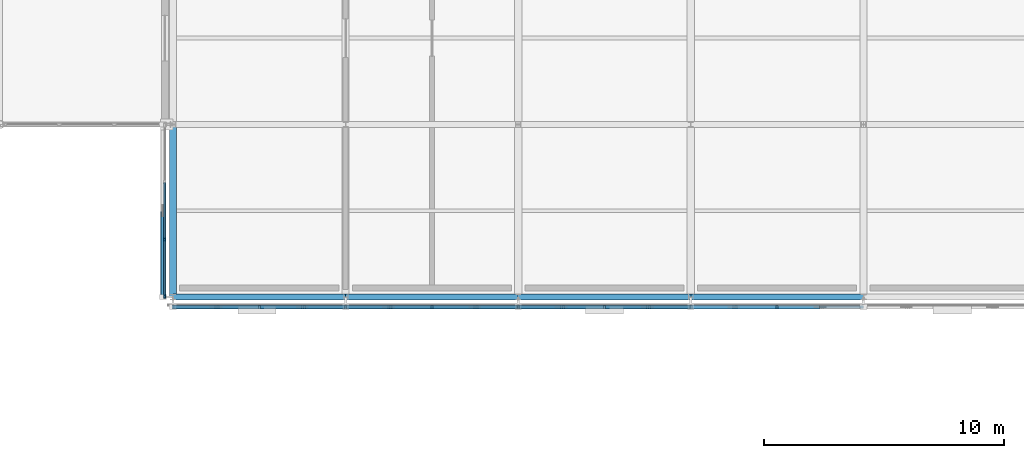
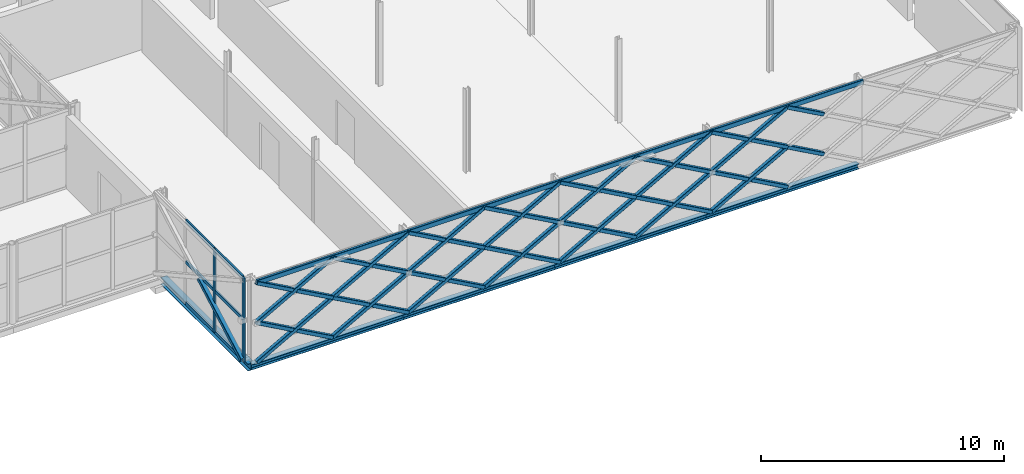
# One storey, part 57 of 126: 57 members, 5 beams, 1 element without a shape of its own.
"""IFC4 building model written with IfcOpenShell, lengths in metres."""

from ifc_helpers import new_model, si_unit, direction, frame, origin, origin_2d, place, context, subcontext, project, spatial, rectangle, hollow_rectangle, i_section, extrude, material, material_profile, profile_set, type_object, element, aggregate, save


model = new_model("IFC4")

# Units and contexts
model_context = context("Model", 3, precision=1e-05, world=origin(), true_north=direction((0.0, 1.0)))
body_context = subcontext(model_context, "Body", "Model", "MODEL_VIEW")
ifc_project = project(units=[si_unit("LENGTHUNIT", "METRE"), si_unit("AREAUNIT", "SQUARE_METRE"), si_unit("VOLUMEUNIT", "CUBIC_METRE"), si_unit("PLANEANGLEUNIT", "RADIAN"), si_unit("MASSUNIT", "GRAM", prefix="KILO")], contexts=[model_context])

# Site, building, storey
site_placement = place(None, origin())
site = spatial("IfcSite", under=ifc_project, at=site_placement, CompositionType="ELEMENT")
building_placement = place(site_placement, origin())
building = spatial("IfcBuilding", under=site, at=building_placement, Name="Zlatovets Crest Museum", CompositionType="ELEMENT")
storey_placement = place(building_placement, frame((0.0, 0.0, 8.699951171875)))
storey = spatial("IfcBuildingStorey", under=building, at=storey_placement, Name="L02", CompositionType="ELEMENT", Elevation=8.699951171875)

# Beams
ifc_material_1 = material(Name="Structural steel S355J2", Category="steel")
ifc_material_profile_1 = material_profile(ifc_material_1, i_section(OverallWidth=0.300048828125, OverallDepth=0.35009765625, WebThickness=0.010009765625, FlangeThickness=0.017578125, FilletRadius=0.027099609375, at=origin_2d()), Name="HEA 360")
ifc_profile_set_1 = profile_set([ifc_material_profile_1], Name="Structural steel S355J2")
beam_type_1 = type_object("IfcBeamType", Name="Beam_B-03", PredefinedType="BEAM", material=ifc_profile_set_1)
beam_placement = place(storey_placement, frame((129.60009765625, 14.39990234375, -0.39501953125), z_axis=(0.0, 1.0, 0.0), x_axis=(-1.0, 0.0, 0.0)))
element("IfcBeam", 1, at=beam_placement, inside=storey, type_object=beam_type_1, Name="V5 L02 Grid Beam B-03", PredefinedType="BEAM", context=body_context, shape_type="SweptSolid", body=[
    extrude(i_section(OverallWidth=0.300048828125, OverallDepth=0.35009765625, WebThickness=0.010009765625, FlangeThickness=0.017578125, FilletRadius=0.027099609375, at=origin_2d()), origin(), (0.0, 0.0, 1.0), 7.2001953125),
])
ifc_material_profile_2 = material_profile(ifc_material_1, i_section(OverallWidth=0.260009765625, OverallDepth=0.25, WebThickness=0.007568359375, FlangeThickness=0.012451171875, FilletRadius=0.02392578125, at=origin_2d()), Name="HEA 260")
ifc_profile_set_2 = profile_set([ifc_material_profile_2], Name="Structural steel S355J2")
beam_type_2 = type_object("IfcBeamType", Name="Beam_B-13", PredefinedType="BEAM", material=ifc_profile_set_2)
for number, where, z_axis, x_axis, name in (
    (2, (129.60009765625, 14.39990234375, -0.344970703125), (1.0, 0.0, 0.0), (0.0, 1.0, 0.0), "V5 L02 Primary Girder B-13"),
    (3, (136.800048828125, 14.39990234375, -0.344970703125), (1.0, 0.0, 0.0), (0.0, 1.0, 0.0), "V5 L02 Primary Girder B-13"),
    (4, (144.0, 14.39990234375, -0.344970703125), (1.0, 0.0, 0.0), (0.0, 1.0, 0.0), "V5 L02 Primary Girder B-13"),
    (5, (151.199951171875, 14.39990234375, -0.344970703125), (1.0, 0.0, 0.0), (0.0, 1.0, 0.0), "V5 L02 Primary Girder B-13"),
):
    element("IfcBeam", number, at=place(storey_placement, frame(where, z_axis=z_axis, x_axis=x_axis)), inside=storey, type_object=beam_type_2, Name=name, PredefinedType="BEAM", context=body_context, shape_type="SweptSolid", body=[
        extrude(i_section(OverallWidth=0.260009765625, OverallDepth=0.25, WebThickness=0.007568359375, FlangeThickness=0.012451171875, FilletRadius=0.02392578125, at=origin_2d()), origin(), (0.0, 0.0, 1.0), 7.199951171875),
    ])

# Curtain wall, members
ifc_material_2 = material(Name="Bronze-anodised aluminium and low-E triple glass", Category="aluminium")
curtain_wall_type = type_object("IfcCurtainWallType", Name="CW_CW-V5-L02-M1", PredefinedType="NOTDEFINED", material=ifc_material_2)
curtain_wall_placement = place(storey_placement, origin())
curtain_wall = element("IfcCurtainWall", 6, at=curtain_wall_placement, inside=storey, type_object=curtain_wall_type, Name="V5 L02 Secession Foyer Clear Curtain Wall", PredefinedType="NOTDEFINED")
ifc_material_3 = material(Name="Bronze-anodised aluminium EN AW-6060", Category="aluminium")
ifc_material_profile_3 = material_profile(ifc_material_3, rectangle(XDim=0.080078125, YDim=0.159912109375, at=origin_2d()), Name="ALU 80x160")
ifc_profile_set_3 = profile_set([ifc_material_profile_3], Name="Bronze-anodised aluminium EN AW-6060")
member_type_1 = type_object("IfcMemberType", Name="CWMull_M1", PredefinedType="MULLION", material=ifc_profile_set_3)
member_1_placement = place(storey_placement, frame((129.260009765625, 16.800048828125, 0.0), z_axis=(0.0, 0.0, 1.0), x_axis=(1.0, 0.0, 0.0)))
member_1 = element("IfcMember", 7, at=member_1_placement, type_object=member_type_1, Name="CW-V5-L02-M1 mullion 3", PredefinedType="MULLION", context=body_context, shape_type="SweptSolid", body=[
    extrude(rectangle(XDim=0.080078125, YDim=0.159912109375, at=origin_2d()), origin(), (0.0, 0.0, 1.0), 4.199951171875),
])
member_2_placement = place(storey_placement, frame((129.260009765625, 14.429931640625, 0.0), z_axis=(0.0, 0.0, 1.0), x_axis=(1.0, 0.0, 0.0)))
member_2 = element("IfcMember", 8, at=member_2_placement, type_object=member_type_1, Name="CW-V5-L02-M1 mullion 4", PredefinedType="MULLION", context=body_context, shape_type="SweptSolid", body=[
    extrude(rectangle(XDim=0.080078125, YDim=0.159912109375, at=origin_2d()), origin(), (0.0, 0.0, 1.0), 4.199951171875),
])
ifc_material_profile_4 = material_profile(ifc_material_3, rectangle(XDim=0.080078125, YDim=0.159912109375, at=origin_2d()), Name="ALU 80x160")
ifc_profile_set_4 = profile_set([ifc_material_profile_4], Name="Bronze-anodised aluminium EN AW-6060")
member_type_2 = type_object("IfcMemberType", Name="CWTrans_T1", PredefinedType="USERDEFINED", material=ifc_profile_set_4)
member_3_placement = place(storey_placement, frame((129.260009765625, 19.169921875, 0.030029296875), z_axis=(0.0, -1.0, 0.0), x_axis=(1.0, 0.0, 0.0)))
member_3 = element("IfcMember", 9, at=member_3_placement, type_object=member_type_2, Name="CW-V5-L02-M1 transom 2.1", ObjectType="TRANSOM", PredefinedType="USERDEFINED", context=body_context, shape_type="SweptSolid", body=[
    extrude(rectangle(XDim=0.080078125, YDim=0.159912109375, at=origin_2d()), origin(), (0.0, 0.0, 1.0), 2.33984375),
])
member_4_placement = place(storey_placement, frame((129.260009765625, 19.169921875, 2.10009765625), z_axis=(0.0, -1.0, 0.0), x_axis=(1.0, 0.0, 0.0)))
member_4 = element("IfcMember", 10, at=member_4_placement, type_object=member_type_2, Name="CW-V5-L02-M1 transom 2.2", ObjectType="TRANSOM", PredefinedType="USERDEFINED", context=body_context, shape_type="SweptSolid", body=[
    extrude(rectangle(XDim=0.080078125, YDim=0.159912109375, at=origin_2d()), origin(), (0.0, 0.0, 1.0), 2.33984375),
])
member_5_placement = place(storey_placement, frame((129.260009765625, 19.169921875, 4.170166015625), z_axis=(0.0, -1.0, 0.0), x_axis=(1.0, 0.0, 0.0)))
member_5 = element("IfcMember", 11, at=member_5_placement, type_object=member_type_2, Name="CW-V5-L02-M1 transom 2.3", ObjectType="TRANSOM", PredefinedType="USERDEFINED", context=body_context, shape_type="SweptSolid", body=[
    extrude(rectangle(XDim=0.080078125, YDim=0.159912109375, at=origin_2d()), origin(), (0.0, 0.0, 1.0), 2.33984375),
])
member_6_placement = place(storey_placement, frame((129.260009765625, 16.77001953125, 0.030029296875), z_axis=(0.0, -1.0, 0.0), x_axis=(1.0, 0.0, 0.0)))
member_6 = element("IfcMember", 12, at=member_6_placement, type_object=member_type_2, Name="CW-V5-L02-M1 transom 3.1", ObjectType="TRANSOM", PredefinedType="USERDEFINED", context=body_context, shape_type="SweptSolid", body=[
    extrude(rectangle(XDim=0.080078125, YDim=0.159912109375, at=origin_2d()), origin(), (0.0, 0.0, 1.0), 2.31005859375),
])
member_7_placement = place(storey_placement, frame((129.260009765625, 16.77001953125, 2.10009765625), z_axis=(0.0, -1.0, 0.0), x_axis=(1.0, 0.0, 0.0)))
member_7 = element("IfcMember", 13, at=member_7_placement, type_object=member_type_2, Name="CW-V5-L02-M1 transom 3.2", ObjectType="TRANSOM", PredefinedType="USERDEFINED", context=body_context, shape_type="SweptSolid", body=[
    extrude(rectangle(XDim=0.080078125, YDim=0.159912109375, at=origin_2d()), origin(), (0.0, 0.0, 1.0), 2.31005859375),
])
member_8_placement = place(storey_placement, frame((129.260009765625, 16.77001953125, 4.170166015625), z_axis=(0.0, -1.0, 0.0), x_axis=(1.0, 0.0, 0.0)))
member_8 = element("IfcMember", 14, at=member_8_placement, type_object=member_type_2, Name="CW-V5-L02-M1 transom 3.3", ObjectType="TRANSOM", PredefinedType="USERDEFINED", context=body_context, shape_type="SweptSolid", body=[
    extrude(rectangle(XDim=0.080078125, YDim=0.159912109375, at=origin_2d()), origin(), (0.0, 0.0, 1.0), 2.31005859375),
])
aggregate(curtain_wall, [member_1, member_2, member_3, member_4, member_5, member_6, member_7, member_8])

# Members
ifc_material_4 = material(Name="Weathering bronze-steel S355J2W", Category="steel")
ifc_material_profile_5 = material_profile(ifc_material_4, hollow_rectangle(XDim=0.179931640625, YDim=0.179931640625, WallThickness=0.010009765625, InnerFilletRadius=0.010009765625, OuterFilletRadius=0.02001953125, at=origin_2d()), Name="SHS 180x180x10.0")
ifc_profile_set_5 = profile_set([ifc_material_profile_5], Name="Weathering bronze-steel S355J2W")
member_type_3 = type_object("IfcMemberType", Name="Lattice_XL-01", PredefinedType="BRACE", material=ifc_profile_set_5)
member_9_placement = place(storey_placement, frame((129.60009765625, 13.97998046875, 0.10009765625), z_axis=(0.874148886685, 0.0, 0.485658031857), x_axis=(0.0, 1.0, 0.0)))
element("IfcMember", 15, at=member_9_placement, inside=storey, type_object=member_type_3, Name="Continuous Bronze Lattice Diagonal", PredefinedType="BRACE", context=body_context, shape_type="SweptSolid", body=[
    extrude(hollow_rectangle(XDim=0.179931640625, YDim=0.179931640625, WallThickness=0.010009765625, InnerFilletRadius=0.010009765625, OuterFilletRadius=0.02001953125, at=origin_2d()), origin(), (0.0, 0.0, 1.0), 4.1181640625),
])
member_10_placement = place(storey_placement, frame((129.60009765625, 13.97998046875, 2.10009765625), z_axis=(0.874139684676, 0.0, -0.48567459443), x_axis=(0.0, 1.0, 0.0)))
element("IfcMember", 16, at=member_10_placement, inside=storey, type_object=member_type_3, Name="Split Crossing Bronze Lattice Diagonal Upper", PredefinedType="BRACE", context=body_context, shape_type="SweptSolid", body=[
    extrude(hollow_rectangle(XDim=0.179931640625, YDim=0.179931640625, WallThickness=0.010009765625, InnerFilletRadius=0.010009765625, OuterFilletRadius=0.02001953125, at=origin_2d()), origin(), (0.0, 0.0, 1.0), 1.9638671875),
])
member_11_placement = place(storey_placement, frame((131.48291015625, 13.97998046875, 1.053955078125), z_axis=(0.874169001841, 0.0, -0.485621824284), x_axis=(0.0, 1.0, 0.0)))
element("IfcMember", 17, at=member_11_placement, inside=storey, type_object=member_type_3, Name="Split Crossing Bronze Lattice Diagonal Lower", PredefinedType="BRACE", context=body_context, shape_type="SweptSolid", body=[
    extrude(hollow_rectangle(XDim=0.179931640625, YDim=0.179931640625, WallThickness=0.010009765625, InnerFilletRadius=0.010009765625, OuterFilletRadius=0.02001953125, at=origin_2d()), origin(), (0.0, 0.0, 1.0), 1.964111328125),
])
member_12_placement = place(storey_placement, frame((133.199951171875, 13.97998046875, 0.10009765625), z_axis=(0.874162868644, 0.0, 0.485632864501), x_axis=(0.0, 1.0, 0.0)))
element("IfcMember", 18, at=member_12_placement, inside=storey, type_object=member_type_3, Name="Continuous Bronze Lattice Diagonal", PredefinedType="BRACE", context=body_context, shape_type="SweptSolid", body=[
    extrude(hollow_rectangle(XDim=0.179931640625, YDim=0.179931640625, WallThickness=0.010009765625, InnerFilletRadius=0.010009765625, OuterFilletRadius=0.02001953125, at=origin_2d()), origin(), (0.0, 0.0, 1.0), 4.118408203125),
])
for number, where, z_axis, x_axis, name in (
    (19, (133.199951171875, 13.97998046875, 2.10009765625), (0.874169001841, 0.0, -0.485621824284), (0.0, 1.0, 0.0), "Split Crossing Bronze Lattice Diagonal Upper"),
    (20, (135.0830078125, 13.97998046875, 1.053955078125), (0.874169001841, 0.0, -0.485621824284), (0.0, 1.0, 0.0), "Split Crossing Bronze Lattice Diagonal Lower"),
):
    element("IfcMember", number, at=place(storey_placement, frame(where, z_axis=z_axis, x_axis=x_axis)), inside=storey, type_object=member_type_3, Name=name, PredefinedType="BRACE", context=body_context, shape_type="SweptSolid", body=[
        extrude(hollow_rectangle(XDim=0.179931640625, YDim=0.179931640625, WallThickness=0.010009765625, InnerFilletRadius=0.010009765625, OuterFilletRadius=0.02001953125, at=origin_2d()), origin(), (0.0, 0.0, 1.0), 1.964111328125),
    ])
member_13_placement = place(storey_placement, frame((129.60009765625, 13.97998046875, 2.10009765625), z_axis=(0.874148886685, 0.0, 0.485658031857), x_axis=(0.0, 1.0, 0.0)))
element("IfcMember", 21, at=member_13_placement, inside=storey, type_object=member_type_3, Name="Continuous Bronze Lattice Diagonal", PredefinedType="BRACE", context=body_context, shape_type="SweptSolid", body=[
    extrude(hollow_rectangle(XDim=0.179931640625, YDim=0.179931640625, WallThickness=0.010009765625, InnerFilletRadius=0.010009765625, OuterFilletRadius=0.02001953125, at=origin_2d()), origin(), (0.0, 0.0, 1.0), 4.1181640625),
])
member_14_placement = place(storey_placement, frame((129.60009765625, 13.97998046875, 4.10009765625), z_axis=(0.874139684676, 0.0, -0.48567459443), x_axis=(0.0, 1.0, 0.0)))
element("IfcMember", 22, at=member_14_placement, inside=storey, type_object=member_type_3, Name="Split Crossing Bronze Lattice Diagonal Upper", PredefinedType="BRACE", context=body_context, shape_type="SweptSolid", body=[
    extrude(hollow_rectangle(XDim=0.179931640625, YDim=0.179931640625, WallThickness=0.010009765625, InnerFilletRadius=0.010009765625, OuterFilletRadius=0.02001953125, at=origin_2d()), origin(), (0.0, 0.0, 1.0), 1.9638671875),
])
member_15_placement = place(storey_placement, frame((131.48291015625, 13.97998046875, 3.053955078125), z_axis=(0.874169001841, 0.0, -0.485621824284), x_axis=(0.0, 1.0, 0.0)))
element("IfcMember", 23, at=member_15_placement, inside=storey, type_object=member_type_3, Name="Split Crossing Bronze Lattice Diagonal Lower", PredefinedType="BRACE", context=body_context, shape_type="SweptSolid", body=[
    extrude(hollow_rectangle(XDim=0.179931640625, YDim=0.179931640625, WallThickness=0.010009765625, InnerFilletRadius=0.010009765625, OuterFilletRadius=0.02001953125, at=origin_2d()), origin(), (0.0, 0.0, 1.0), 1.964111328125),
])
member_16_placement = place(storey_placement, frame((133.199951171875, 13.97998046875, 2.10009765625), z_axis=(0.874162868644, 0.0, 0.485632864501), x_axis=(0.0, 1.0, 0.0)))
element("IfcMember", 24, at=member_16_placement, inside=storey, type_object=member_type_3, Name="Continuous Bronze Lattice Diagonal", PredefinedType="BRACE", context=body_context, shape_type="SweptSolid", body=[
    extrude(hollow_rectangle(XDim=0.179931640625, YDim=0.179931640625, WallThickness=0.010009765625, InnerFilletRadius=0.010009765625, OuterFilletRadius=0.02001953125, at=origin_2d()), origin(), (0.0, 0.0, 1.0), 4.118408203125),
])
for number, where, z_axis, x_axis, name in (
    (25, (133.199951171875, 13.97998046875, 4.10009765625), (0.874169001841, 0.0, -0.485621824284), (0.0, 1.0, 0.0), "Split Crossing Bronze Lattice Diagonal Upper"),
    (26, (135.0830078125, 13.97998046875, 3.053955078125), (0.874169001841, 0.0, -0.485621824284), (0.0, 1.0, 0.0), "Split Crossing Bronze Lattice Diagonal Lower"),
):
    element("IfcMember", number, at=place(storey_placement, frame(where, z_axis=z_axis, x_axis=x_axis)), inside=storey, type_object=member_type_3, Name=name, PredefinedType="BRACE", context=body_context, shape_type="SweptSolid", body=[
        extrude(hollow_rectangle(XDim=0.179931640625, YDim=0.179931640625, WallThickness=0.010009765625, InnerFilletRadius=0.010009765625, OuterFilletRadius=0.02001953125, at=origin_2d()), origin(), (0.0, 0.0, 1.0), 1.964111328125),
    ])
member_17_placement = place(storey_placement, frame((136.800048828125, 13.97998046875, 0.10009765625), z_axis=(0.874148886685, 0.0, 0.485658031857), x_axis=(0.0, 1.0, 0.0)))
element("IfcMember", 27, at=member_17_placement, inside=storey, type_object=member_type_3, Name="Continuous Bronze Lattice Diagonal", PredefinedType="BRACE", context=body_context, shape_type="SweptSolid", body=[
    extrude(hollow_rectangle(XDim=0.179931640625, YDim=0.179931640625, WallThickness=0.010009765625, InnerFilletRadius=0.010009765625, OuterFilletRadius=0.02001953125, at=origin_2d()), origin(), (0.0, 0.0, 1.0), 4.1181640625),
])
member_18_placement = place(storey_placement, frame((136.800048828125, 13.97998046875, 2.10009765625), z_axis=(0.874169001841, 0.0, -0.485621824284), x_axis=(0.0, 1.0, 0.0)))
element("IfcMember", 28, at=member_18_placement, inside=storey, type_object=member_type_3, Name="Split Crossing Bronze Lattice Diagonal Upper", PredefinedType="BRACE", context=body_context, shape_type="SweptSolid", body=[
    extrude(hollow_rectangle(XDim=0.179931640625, YDim=0.179931640625, WallThickness=0.010009765625, InnerFilletRadius=0.010009765625, OuterFilletRadius=0.02001953125, at=origin_2d()), origin(), (0.0, 0.0, 1.0), 1.964111328125),
])
member_19_placement = place(storey_placement, frame((138.68310546875, 13.97998046875, 1.053955078125), z_axis=(0.874139684676, 0.0, -0.48567459443), x_axis=(0.0, 1.0, 0.0)))
element("IfcMember", 29, at=member_19_placement, inside=storey, type_object=member_type_3, Name="Split Crossing Bronze Lattice Diagonal Lower", PredefinedType="BRACE", context=body_context, shape_type="SweptSolid", body=[
    extrude(hollow_rectangle(XDim=0.179931640625, YDim=0.179931640625, WallThickness=0.010009765625, InnerFilletRadius=0.010009765625, OuterFilletRadius=0.02001953125, at=origin_2d()), origin(), (0.0, 0.0, 1.0), 1.9638671875),
])
member_20_placement = place(storey_placement, frame((140.39990234375, 13.97998046875, 0.10009765625), z_axis=(0.874162868644, 0.0, 0.485632864501), x_axis=(0.0, 1.0, 0.0)))
element("IfcMember", 30, at=member_20_placement, inside=storey, type_object=member_type_3, Name="Continuous Bronze Lattice Diagonal", PredefinedType="BRACE", context=body_context, shape_type="SweptSolid", body=[
    extrude(hollow_rectangle(XDim=0.179931640625, YDim=0.179931640625, WallThickness=0.010009765625, InnerFilletRadius=0.010009765625, OuterFilletRadius=0.02001953125, at=origin_2d()), origin(), (0.0, 0.0, 1.0), 4.118408203125),
])
for number, where, z_axis, x_axis, name in (
    (31, (140.39990234375, 13.97998046875, 2.10009765625), (0.874169001841, 0.0, -0.485621824284), (0.0, 1.0, 0.0), "Split Crossing Bronze Lattice Diagonal Upper"),
    (32, (142.282958984375, 13.97998046875, 1.053955078125), (0.874169001841, 0.0, -0.485621824284), (0.0, 1.0, 0.0), "Split Crossing Bronze Lattice Diagonal Lower"),
):
    element("IfcMember", number, at=place(storey_placement, frame(where, z_axis=z_axis, x_axis=x_axis)), inside=storey, type_object=member_type_3, Name=name, PredefinedType="BRACE", context=body_context, shape_type="SweptSolid", body=[
        extrude(hollow_rectangle(XDim=0.179931640625, YDim=0.179931640625, WallThickness=0.010009765625, InnerFilletRadius=0.010009765625, OuterFilletRadius=0.02001953125, at=origin_2d()), origin(), (0.0, 0.0, 1.0), 1.964111328125),
    ])
member_21_placement = place(storey_placement, frame((136.800048828125, 13.97998046875, 2.10009765625), z_axis=(0.874148886685, 0.0, 0.485658031857), x_axis=(0.0, 1.0, 0.0)))
element("IfcMember", 33, at=member_21_placement, inside=storey, type_object=member_type_3, Name="Continuous Bronze Lattice Diagonal", PredefinedType="BRACE", context=body_context, shape_type="SweptSolid", body=[
    extrude(hollow_rectangle(XDim=0.179931640625, YDim=0.179931640625, WallThickness=0.010009765625, InnerFilletRadius=0.010009765625, OuterFilletRadius=0.02001953125, at=origin_2d()), origin(), (0.0, 0.0, 1.0), 4.1181640625),
])
member_22_placement = place(storey_placement, frame((136.800048828125, 13.97998046875, 4.10009765625), z_axis=(0.874169001841, 0.0, -0.485621824284), x_axis=(0.0, 1.0, 0.0)))
element("IfcMember", 34, at=member_22_placement, inside=storey, type_object=member_type_3, Name="Split Crossing Bronze Lattice Diagonal Upper", PredefinedType="BRACE", context=body_context, shape_type="SweptSolid", body=[
    extrude(hollow_rectangle(XDim=0.179931640625, YDim=0.179931640625, WallThickness=0.010009765625, InnerFilletRadius=0.010009765625, OuterFilletRadius=0.02001953125, at=origin_2d()), origin(), (0.0, 0.0, 1.0), 1.964111328125),
])
member_23_placement = place(storey_placement, frame((138.68310546875, 13.97998046875, 3.053955078125), z_axis=(0.874139684676, 0.0, -0.48567459443), x_axis=(0.0, 1.0, 0.0)))
element("IfcMember", 35, at=member_23_placement, inside=storey, type_object=member_type_3, Name="Split Crossing Bronze Lattice Diagonal Lower", PredefinedType="BRACE", context=body_context, shape_type="SweptSolid", body=[
    extrude(hollow_rectangle(XDim=0.179931640625, YDim=0.179931640625, WallThickness=0.010009765625, InnerFilletRadius=0.010009765625, OuterFilletRadius=0.02001953125, at=origin_2d()), origin(), (0.0, 0.0, 1.0), 1.9638671875),
])
member_24_placement = place(storey_placement, frame((140.39990234375, 13.97998046875, 2.10009765625), z_axis=(0.874162868644, 0.0, 0.485632864501), x_axis=(0.0, 1.0, 0.0)))
element("IfcMember", 36, at=member_24_placement, inside=storey, type_object=member_type_3, Name="Continuous Bronze Lattice Diagonal", PredefinedType="BRACE", context=body_context, shape_type="SweptSolid", body=[
    extrude(hollow_rectangle(XDim=0.179931640625, YDim=0.179931640625, WallThickness=0.010009765625, InnerFilletRadius=0.010009765625, OuterFilletRadius=0.02001953125, at=origin_2d()), origin(), (0.0, 0.0, 1.0), 4.118408203125),
])
for number, where, z_axis, x_axis, name in (
    (37, (140.39990234375, 13.97998046875, 4.10009765625), (0.874169001841, 0.0, -0.485621824284), (0.0, 1.0, 0.0), "Split Crossing Bronze Lattice Diagonal Upper"),
    (38, (142.282958984375, 13.97998046875, 3.053955078125), (0.874169001841, 0.0, -0.485621824284), (0.0, 1.0, 0.0), "Split Crossing Bronze Lattice Diagonal Lower"),
):
    element("IfcMember", number, at=place(storey_placement, frame(where, z_axis=z_axis, x_axis=x_axis)), inside=storey, type_object=member_type_3, Name=name, PredefinedType="BRACE", context=body_context, shape_type="SweptSolid", body=[
        extrude(hollow_rectangle(XDim=0.179931640625, YDim=0.179931640625, WallThickness=0.010009765625, InnerFilletRadius=0.010009765625, OuterFilletRadius=0.02001953125, at=origin_2d()), origin(), (0.0, 0.0, 1.0), 1.964111328125),
    ])
member_25_placement = place(storey_placement, frame((144.0, 13.97998046875, 0.10009765625), z_axis=(0.874162868644, 0.0, 0.485632864501), x_axis=(0.0, 1.0, 0.0)))
element("IfcMember", 39, at=member_25_placement, inside=storey, type_object=member_type_3, Name="Continuous Bronze Lattice Diagonal", PredefinedType="BRACE", context=body_context, shape_type="SweptSolid", body=[
    extrude(hollow_rectangle(XDim=0.179931640625, YDim=0.179931640625, WallThickness=0.010009765625, InnerFilletRadius=0.010009765625, OuterFilletRadius=0.02001953125, at=origin_2d()), origin(), (0.0, 0.0, 1.0), 4.118408203125),
])
for number, where, z_axis, x_axis, name in (
    (40, (144.0, 13.97998046875, 2.10009765625), (0.874169001841, 0.0, -0.485621824284), (0.0, 1.0, 0.0), "Split Crossing Bronze Lattice Diagonal Upper"),
    (41, (145.883056640625, 13.97998046875, 1.053955078125), (0.874169001841, 0.0, -0.485621824284), (0.0, 1.0, 0.0), "Split Crossing Bronze Lattice Diagonal Lower"),
):
    element("IfcMember", number, at=place(storey_placement, frame(where, z_axis=z_axis, x_axis=x_axis)), inside=storey, type_object=member_type_3, Name=name, PredefinedType="BRACE", context=body_context, shape_type="SweptSolid", body=[
        extrude(hollow_rectangle(XDim=0.179931640625, YDim=0.179931640625, WallThickness=0.010009765625, InnerFilletRadius=0.010009765625, OuterFilletRadius=0.02001953125, at=origin_2d()), origin(), (0.0, 0.0, 1.0), 1.964111328125),
    ])
member_26_placement = place(storey_placement, frame((147.60009765625, 13.97998046875, 0.10009765625), z_axis=(0.874148886685, 0.0, 0.485658031857), x_axis=(0.0, 1.0, 0.0)))
element("IfcMember", 42, at=member_26_placement, inside=storey, type_object=member_type_3, Name="Continuous Bronze Lattice Diagonal", PredefinedType="BRACE", context=body_context, shape_type="SweptSolid", body=[
    extrude(hollow_rectangle(XDim=0.179931640625, YDim=0.179931640625, WallThickness=0.010009765625, InnerFilletRadius=0.010009765625, OuterFilletRadius=0.02001953125, at=origin_2d()), origin(), (0.0, 0.0, 1.0), 4.1181640625),
])
member_27_placement = place(storey_placement, frame((147.60009765625, 13.97998046875, 2.10009765625), z_axis=(0.874139684676, 0.0, -0.48567459443), x_axis=(0.0, 1.0, 0.0)))
element("IfcMember", 43, at=member_27_placement, inside=storey, type_object=member_type_3, Name="Split Crossing Bronze Lattice Diagonal Upper", PredefinedType="BRACE", context=body_context, shape_type="SweptSolid", body=[
    extrude(hollow_rectangle(XDim=0.179931640625, YDim=0.179931640625, WallThickness=0.010009765625, InnerFilletRadius=0.010009765625, OuterFilletRadius=0.02001953125, at=origin_2d()), origin(), (0.0, 0.0, 1.0), 1.9638671875),
])
member_28_placement = place(storey_placement, frame((149.48291015625, 13.97998046875, 1.053955078125), z_axis=(0.874169001841, 0.0, -0.485621824284), x_axis=(0.0, 1.0, 0.0)))
element("IfcMember", 44, at=member_28_placement, inside=storey, type_object=member_type_3, Name="Split Crossing Bronze Lattice Diagonal Lower", PredefinedType="BRACE", context=body_context, shape_type="SweptSolid", body=[
    extrude(hollow_rectangle(XDim=0.179931640625, YDim=0.179931640625, WallThickness=0.010009765625, InnerFilletRadius=0.010009765625, OuterFilletRadius=0.02001953125, at=origin_2d()), origin(), (0.0, 0.0, 1.0), 1.964111328125),
])
member_29_placement = place(storey_placement, frame((144.0, 13.97998046875, 2.10009765625), z_axis=(0.874162868644, 0.0, 0.485632864501), x_axis=(0.0, 1.0, 0.0)))
element("IfcMember", 45, at=member_29_placement, inside=storey, type_object=member_type_3, Name="Continuous Bronze Lattice Diagonal", PredefinedType="BRACE", context=body_context, shape_type="SweptSolid", body=[
    extrude(hollow_rectangle(XDim=0.179931640625, YDim=0.179931640625, WallThickness=0.010009765625, InnerFilletRadius=0.010009765625, OuterFilletRadius=0.02001953125, at=origin_2d()), origin(), (0.0, 0.0, 1.0), 4.118408203125),
])
for number, where, z_axis, x_axis, name in (
    (46, (144.0, 13.97998046875, 4.10009765625), (0.874169001841, 0.0, -0.485621824284), (0.0, 1.0, 0.0), "Split Crossing Bronze Lattice Diagonal Upper"),
    (47, (145.883056640625, 13.97998046875, 3.053955078125), (0.874169001841, 0.0, -0.485621824284), (0.0, 1.0, 0.0), "Split Crossing Bronze Lattice Diagonal Lower"),
):
    element("IfcMember", number, at=place(storey_placement, frame(where, z_axis=z_axis, x_axis=x_axis)), inside=storey, type_object=member_type_3, Name=name, PredefinedType="BRACE", context=body_context, shape_type="SweptSolid", body=[
        extrude(hollow_rectangle(XDim=0.179931640625, YDim=0.179931640625, WallThickness=0.010009765625, InnerFilletRadius=0.010009765625, OuterFilletRadius=0.02001953125, at=origin_2d()), origin(), (0.0, 0.0, 1.0), 1.964111328125),
    ])
member_30_placement = place(storey_placement, frame((147.60009765625, 13.97998046875, 2.10009765625), z_axis=(0.874148886685, 0.0, 0.485658031857), x_axis=(0.0, 1.0, 0.0)))
element("IfcMember", 48, at=member_30_placement, inside=storey, type_object=member_type_3, Name="Continuous Bronze Lattice Diagonal", PredefinedType="BRACE", context=body_context, shape_type="SweptSolid", body=[
    extrude(hollow_rectangle(XDim=0.179931640625, YDim=0.179931640625, WallThickness=0.010009765625, InnerFilletRadius=0.010009765625, OuterFilletRadius=0.02001953125, at=origin_2d()), origin(), (0.0, 0.0, 1.0), 4.1181640625),
])
member_31_placement = place(storey_placement, frame((147.60009765625, 13.97998046875, 4.10009765625), z_axis=(0.874139684676, 0.0, -0.48567459443), x_axis=(0.0, 1.0, 0.0)))
element("IfcMember", 49, at=member_31_placement, inside=storey, type_object=member_type_3, Name="Split Crossing Bronze Lattice Diagonal Upper", PredefinedType="BRACE", context=body_context, shape_type="SweptSolid", body=[
    extrude(hollow_rectangle(XDim=0.179931640625, YDim=0.179931640625, WallThickness=0.010009765625, InnerFilletRadius=0.010009765625, OuterFilletRadius=0.02001953125, at=origin_2d()), origin(), (0.0, 0.0, 1.0), 1.9638671875),
])
member_32_placement = place(storey_placement, frame((149.48291015625, 13.97998046875, 3.053955078125), z_axis=(0.874169001841, 0.0, -0.485621824284), x_axis=(0.0, 1.0, 0.0)))
element("IfcMember", 50, at=member_32_placement, inside=storey, type_object=member_type_3, Name="Split Crossing Bronze Lattice Diagonal Lower", PredefinedType="BRACE", context=body_context, shape_type="SweptSolid", body=[
    extrude(hollow_rectangle(XDim=0.179931640625, YDim=0.179931640625, WallThickness=0.010009765625, InnerFilletRadius=0.010009765625, OuterFilletRadius=0.02001953125, at=origin_2d()), origin(), (0.0, 0.0, 1.0), 1.964111328125),
])
member_33_placement = place(storey_placement, frame((151.199951171875, 13.97998046875, 0.10009765625), z_axis=(0.874162868644, 0.0, 0.485632864501), x_axis=(0.0, 1.0, 0.0)))
element("IfcMember", 51, at=member_33_placement, inside=storey, type_object=member_type_3, Name="Continuous Bronze Lattice Diagonal", PredefinedType="BRACE", context=body_context, shape_type="SweptSolid", body=[
    extrude(hollow_rectangle(XDim=0.179931640625, YDim=0.179931640625, WallThickness=0.010009765625, InnerFilletRadius=0.010009765625, OuterFilletRadius=0.02001953125, at=origin_2d()), origin(), (0.0, 0.0, 1.0), 4.118408203125),
])
for number, where, z_axis, x_axis, name in (
    (52, (151.199951171875, 13.97998046875, 2.10009765625), (0.874169001841, 0.0, -0.485621824284), (0.0, 1.0, 0.0), "Split Crossing Bronze Lattice Diagonal Upper"),
    (53, (153.0830078125, 13.97998046875, 1.053955078125), (0.874169001841, 0.0, -0.485621824284), (0.0, 1.0, 0.0), "Split Crossing Bronze Lattice Diagonal Lower"),
    (54, (154.800048828125, 13.97998046875, 2.10009765625), (0.874169001841, 0.0, -0.485621824284), (0.0, 1.0, 0.0), "Split Crossing Bronze Lattice Diagonal Upper"),
):
    element("IfcMember", number, at=place(storey_placement, frame(where, z_axis=z_axis, x_axis=x_axis)), inside=storey, type_object=member_type_3, Name=name, PredefinedType="BRACE", context=body_context, shape_type="SweptSolid", body=[
        extrude(hollow_rectangle(XDim=0.179931640625, YDim=0.179931640625, WallThickness=0.010009765625, InnerFilletRadius=0.010009765625, OuterFilletRadius=0.02001953125, at=origin_2d()), origin(), (0.0, 0.0, 1.0), 1.964111328125),
    ])
member_34_placement = place(storey_placement, frame((151.199951171875, 13.97998046875, 2.10009765625), z_axis=(0.874162868644, 0.0, 0.485632864501), x_axis=(0.0, 1.0, 0.0)))
element("IfcMember", 55, at=member_34_placement, inside=storey, type_object=member_type_3, Name="Continuous Bronze Lattice Diagonal", PredefinedType="BRACE", context=body_context, shape_type="SweptSolid", body=[
    extrude(hollow_rectangle(XDim=0.179931640625, YDim=0.179931640625, WallThickness=0.010009765625, InnerFilletRadius=0.010009765625, OuterFilletRadius=0.02001953125, at=origin_2d()), origin(), (0.0, 0.0, 1.0), 4.118408203125),
])
for number, where, z_axis, x_axis, name in (
    (56, (151.199951171875, 13.97998046875, 4.10009765625), (0.874169001841, 0.0, -0.485621824284), (0.0, 1.0, 0.0), "Split Crossing Bronze Lattice Diagonal Upper"),
    (57, (153.0830078125, 13.97998046875, 3.053955078125), (0.874169001841, 0.0, -0.485621824284), (0.0, 1.0, 0.0), "Split Crossing Bronze Lattice Diagonal Lower"),
    (58, (154.800048828125, 13.97998046875, 4.10009765625), (0.874169001841, 0.0, -0.485621824284), (0.0, 1.0, 0.0), "Split Crossing Bronze Lattice Diagonal Upper"),
):
    element("IfcMember", number, at=place(storey_placement, frame(where, z_axis=z_axis, x_axis=x_axis)), inside=storey, type_object=member_type_3, Name=name, PredefinedType="BRACE", context=body_context, shape_type="SweptSolid", body=[
        extrude(hollow_rectangle(XDim=0.179931640625, YDim=0.179931640625, WallThickness=0.010009765625, InnerFilletRadius=0.010009765625, OuterFilletRadius=0.02001953125, at=origin_2d()), origin(), (0.0, 0.0, 1.0), 1.964111328125),
    ])
ifc_material_profile_6 = material_profile(ifc_material_4, hollow_rectangle(XDim=0.199951171875, YDim=0.199951171875, WallThickness=0.012451171875, InnerFilletRadius=0.012451171875, OuterFilletRadius=0.02490234375, at=origin_2d()), Name="SHS 200x200x12.5")
ifc_profile_set_6 = profile_set([ifc_material_profile_6], Name="Weathering bronze-steel S355J2W")
member_type_4 = type_object("IfcMemberType", Name="Lattice_XL-02", PredefinedType="BRACE", material=ifc_profile_set_6)
member_35_placement = place(storey_placement, frame((129.179931640625, 17.9169921875, 2.053955078125), z_axis=(0.0, -0.874165862873, -0.485627474703), x_axis=(1.0, 0.0, 0.0)))
element("IfcMember", 59, at=member_35_placement, inside=storey, type_object=member_type_4, Name="Split Crossing Bronze Lattice Diagonal Lower", PredefinedType="BRACE", context=body_context, shape_type="SweptSolid", body=[
    extrude(hollow_rectangle(XDim=0.199951171875, YDim=0.199951171875, WallThickness=0.012451171875, InnerFilletRadius=0.012451171875, OuterFilletRadius=0.02490234375, at=origin_2d()), origin(), (0.0, 0.0, 1.0), 4.0234375),
])
ifc_material_profile_7 = material_profile(ifc_material_4, hollow_rectangle(XDim=0.1201171875, YDim=0.239990234375, WallThickness=0.010009765625, InnerFilletRadius=0.010009765625, OuterFilletRadius=0.02001953125, at=origin_2d()), Name="RHS 120x240x10.0")
ifc_profile_set_7 = profile_set([ifc_material_profile_7], Name="Weathering bronze-steel S355J2W")
member_type_5 = type_object("IfcMemberType", Name="Lattice_XL-04", PredefinedType="CHORD", material=ifc_profile_set_7)
for number, where, z_axis, x_axis, name in (
    (60, (129.60009765625, 13.97998046875, 4.10009765625), (1.0, 0.0, 0.0), (0.0, 1.0, 0.0), "Art Nouveau Woven Cage Collector Ring Chord"),
    (61, (136.800048828125, 13.97998046875, 4.10009765625), (1.0, 0.0, 0.0), (0.0, 1.0, 0.0), "Art Nouveau Woven Cage Collector Ring Chord"),
    (62, (144.0, 13.97998046875, 4.10009765625), (1.0, 0.0, 0.0), (0.0, 1.0, 0.0), "Art Nouveau Woven Cage Collector Ring Chord"),
    (63, (151.199951171875, 13.97998046875, 4.10009765625), (1.0, 0.0, 0.0), (0.0, 1.0, 0.0), "Art Nouveau Woven Cage Collector Ring Chord"),
):
    element("IfcMember", number, at=place(storey_placement, frame(where, z_axis=z_axis, x_axis=x_axis)), inside=storey, type_object=member_type_5, Name=name, PredefinedType="CHORD", context=body_context, shape_type="SweptSolid", body=[
        extrude(hollow_rectangle(XDim=0.1201171875, YDim=0.239990234375, WallThickness=0.010009765625, InnerFilletRadius=0.010009765625, OuterFilletRadius=0.02001953125, at=origin_2d()), origin(), (0.0, 0.0, 1.0), 7.199951171875),
    ])

save(model, "model.ifc")
